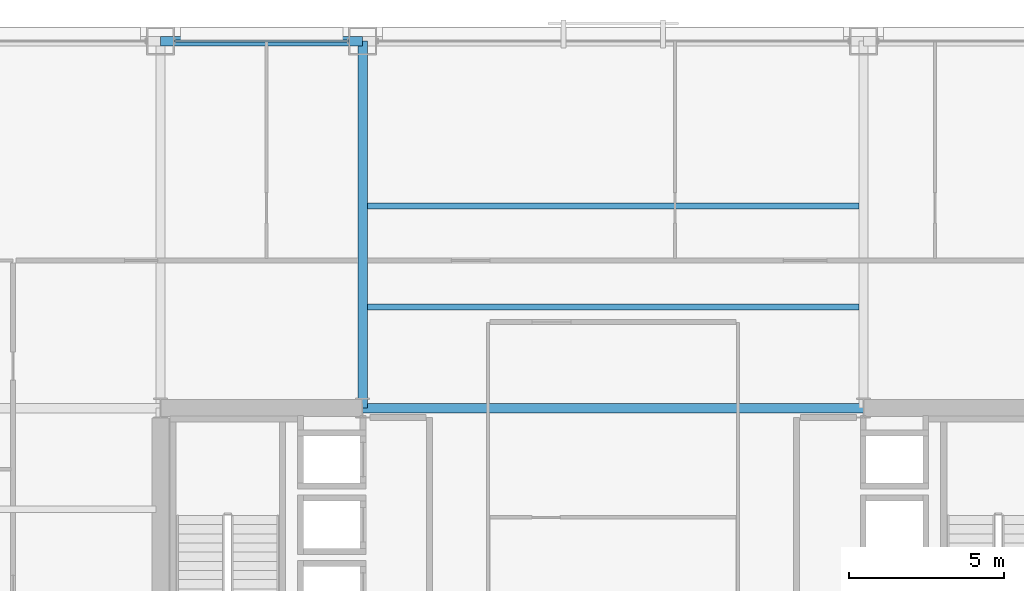
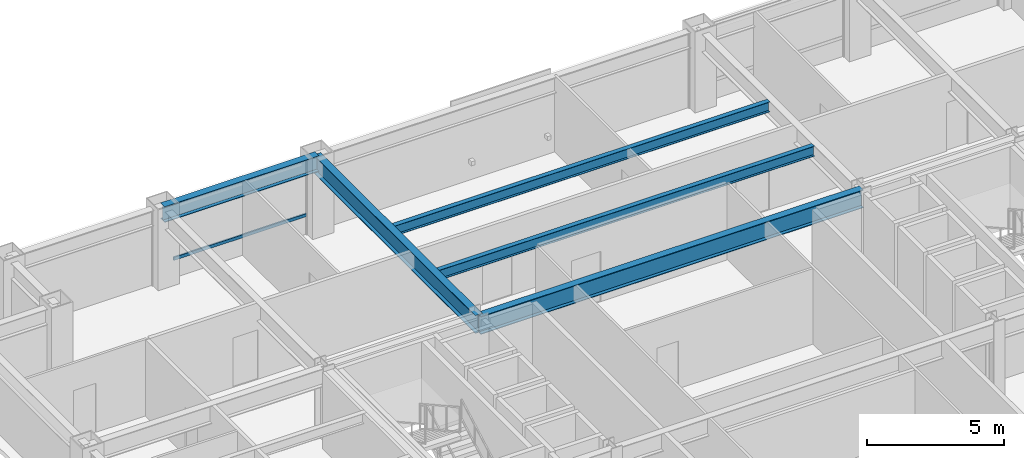
# One storey, part 19 of 29: 5 beams, 1 member, 1 element without a shape of its own.
"""IFC4 building model written with IfcOpenShell, lengths in metres."""

from ifc_helpers import new_model, si_unit, direction, frame, origin, origin_2d, place, context, subcontext, project, spatial, hollow_rectangle, i_section, extrude, material, layer, layer_set, material_profile, profile_set, type_object, element, aggregate, save


model = new_model("IFC4")

# Units and contexts
model_context = context("Model", 3, precision=1e-05, world=origin(), true_north=direction((0.0, 1.0)))
body_context = subcontext(model_context, "Body", "Model", "MODEL_VIEW")
ifc_project = project(units=[si_unit("LENGTHUNIT", "METRE"), si_unit("AREAUNIT", "SQUARE_METRE"), si_unit("VOLUMEUNIT", "CUBIC_METRE"), si_unit("PLANEANGLEUNIT", "RADIAN"), si_unit("MASSUNIT", "GRAM", prefix="KILO")], contexts=[model_context])

# Site, building, storey
site_placement = place(None, origin())
site = spatial("IfcSite", under=ifc_project, at=site_placement, CompositionType="ELEMENT")
building_placement = place(site_placement, origin())
building = spatial("IfcBuilding", under=site, at=building_placement, Name="Brelmoor Portico Tower", CompositionType="ELEMENT")
storey_placement = place(building_placement, frame((0.0, 0.0, 52.800048828125)))
storey = spatial("IfcBuildingStorey", under=building, at=storey_placement, Name="L13", CompositionType="ELEMENT", Elevation=52.800048828125)

# Beams
ifc_material_1 = material(Name="Steel Q355B", Category="steel")
ifc_material_profile_1 = material_profile(ifc_material_1, i_section(OverallWidth=0.199951171875, OverallDepth=0.449951171875, WebThickness=0.009033203125, FlangeThickness=0.013916015625, at=origin_2d()), Name="HN 450x200x9x14")
ifc_profile_set_1 = profile_set([ifc_material_profile_1], Name="Steel Q355B")
beam_type_1 = type_object("IfcBeamType", Name="BM-JS-450", PredefinedType="JOIST", material=ifc_profile_set_1)
for number, where, z_axis, x_axis, name in (
    (1, (-7.89990234375, 13.0, 3.175048828125), (1.0, 0.0, 0.0), (0.0, 1.0, 0.0), "L13 Secondary Composite Joist JS-C03"),
    (2, (-7.89990234375, 16.25, 3.175048828125), (1.0, 0.0, 0.0), (0.0, 1.0, 0.0), "L13 Secondary Composite Joist JS-C04"),
):
    element("IfcBeam", number, at=place(storey_placement, frame(where, z_axis=z_axis, x_axis=x_axis)), inside=storey, type_object=beam_type_1, Name=name, PredefinedType="JOIST", context=body_context, shape_type="SweptSolid", body=[
        extrude(i_section(OverallWidth=0.199951171875, OverallDepth=0.449951171875, WebThickness=0.009033203125, FlangeThickness=0.013916015625, at=origin_2d()), origin(), (0.0, 0.0, 1.0), 15.7998046875),
    ])
ifc_material_profile_2 = material_profile(ifc_material_1, i_section(OverallWidth=0.300048828125, OverallDepth=0.800048828125, WebThickness=0.013916015625, FlangeThickness=0.02587890625, at=origin_2d()), Name="HN 800x300x14x26")
ifc_profile_set_2 = profile_set([ifc_material_profile_2], Name="Steel Q355B")
beam_type_2 = type_object("IfcBeamType", Name="BM-PG-800", PredefinedType="BEAM", material=ifc_profile_set_2)
beam_1_placement = place(storey_placement, frame((-8.050048828125, 9.75, 3.0), z_axis=(0.0, 1.0, 0.0), x_axis=(-1.0, 0.0, 0.0)))
element("IfcBeam", 3, at=beam_1_placement, inside=storey, type_object=beam_type_2, Name="L13 Primary Floor Girder PG-08", PredefinedType="BEAM", context=body_context, shape_type="SweptSolid", body=[
    extrude(i_section(OverallWidth=0.300048828125, OverallDepth=0.800048828125, WebThickness=0.013916015625, FlangeThickness=0.02587890625, at=origin_2d()), origin(), (0.0, 0.0, 1.0), 11.800048828125),
])
beam_2_placement = place(storey_placement, frame((-8.050048828125, 9.75, 3.0), z_axis=(1.0, 0.0, 0.0), x_axis=(0.0, 1.0, 0.0)))
element("IfcBeam", 4, at=beam_2_placement, inside=storey, type_object=beam_type_2, Name="L13 Primary Floor Girder PG-29", PredefinedType="BEAM", context=body_context, shape_type="SweptSolid", body=[
    extrude(i_section(OverallWidth=0.300048828125, OverallDepth=0.800048828125, WebThickness=0.013916015625, FlangeThickness=0.02587890625, at=origin_2d()), origin(), (0.0, 0.0, 1.0), 16.10009765625),
])
ifc_material_profile_3 = material_profile(ifc_material_1, i_section(OverallWidth=0.300048828125, OverallDepth=0.699951171875, WebThickness=0.012939453125, FlangeThickness=0.02392578125, at=origin_2d()), Name="HN 700x300x13x24")
ifc_profile_set_3 = profile_set([ifc_material_profile_3], Name="Steel Q355B")
beam_type_3 = type_object("IfcBeamType", Name="BM-SP-700", PredefinedType="SPANDREL", material=ifc_profile_set_3)
beam_3_placement = place(storey_placement, frame((-14.550048828125, 21.550048828125, 3.050048828125), z_axis=(1.0, 0.0, 0.0), x_axis=(0.0, 1.0, 0.0)))
element("IfcBeam", 5, at=beam_3_placement, inside=storey, type_object=beam_type_3, Name="L13 Perimeter Spandrel Beam SP-11", PredefinedType="SPANDREL", context=body_context, shape_type="SweptSolid", body=[
    extrude(i_section(OverallWidth=0.300048828125, OverallDepth=0.699951171875, WebThickness=0.012939453125, FlangeThickness=0.02392578125, at=origin_2d()), origin(), (0.0, 0.0, 1.0), 6.5),
])

# Curtain wall, member
ifc_material_2 = material(Name="Anodised Aluminium Alloy 6063-T6", Category="aluminium")
ifc_layer = layer(ifc_material_2, 0.179931640625)
ifc_layer_set = layer_set([ifc_layer], Name="Anodised Aluminium Alloy 6063-T6")
curtain_wall_type = type_object("IfcCurtainWallType", Name="CW-TOWER-Z1", PredefinedType="NOTDEFINED", material=ifc_layer_set)
curtain_wall_placement = place(storey_placement, origin())
curtain_wall = element("IfcCurtainWall", 6, at=curtain_wall_placement, inside=storey, type_object=curtain_wall_type, Name="L13 Curtain Wall CW-L13-02-2", PredefinedType="NOTDEFINED")
ifc_material_profile_4 = material_profile(ifc_material_2, hollow_rectangle(XDim=0.06494140625, YDim=0.139892578125, WallThickness=0.00390625, at=origin_2d()), Name="ALU TRANSOM 65x140")
ifc_profile_set_4 = profile_set([ifc_material_profile_4], Name="Anodised Aluminium Alloy 6063-T6")
member_type = type_object("IfcMemberType", Name="MB-CW-TRAN-140", PredefinedType="USERDEFINED", material=ifc_profile_set_4)
member_placement = place(storey_placement, frame((-14.090087890625, 21.550048828125, 0.849853515625), z_axis=(1.0, 0.0, 0.0), x_axis=(0.0, 1.0, 0.0)))
member = element("IfcMember", 7, at=member_placement, type_object=member_type, Name="CW-L13-02-2 Transom 1-00", ObjectType="TRANSOM", PredefinedType="USERDEFINED", context=body_context, shape_type="SweptSolid", body=[
    extrude(hollow_rectangle(XDim=0.06494140625, YDim=0.139892578125, WallThickness=0.00390625, at=origin_2d()), origin(), (0.0, 0.0, 1.0), 5.580078125),
])
aggregate(curtain_wall, [member])

save(model, "model.ifc")
